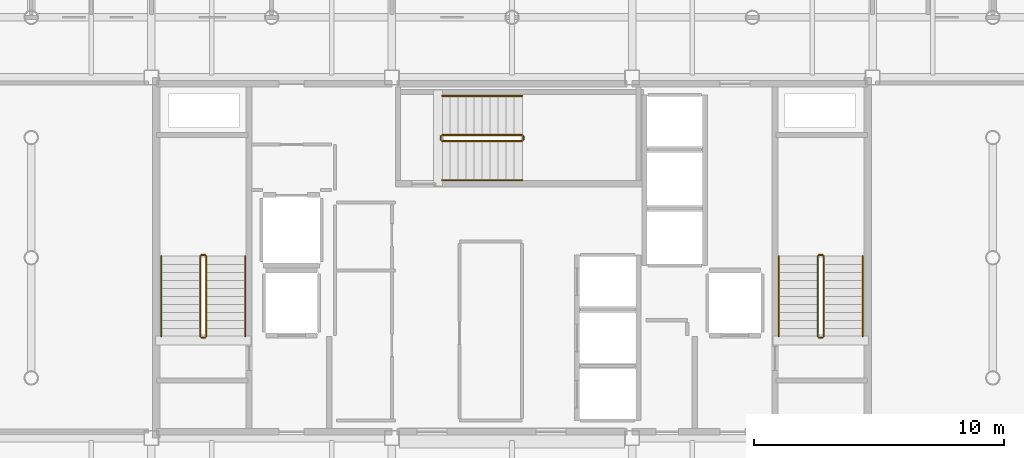
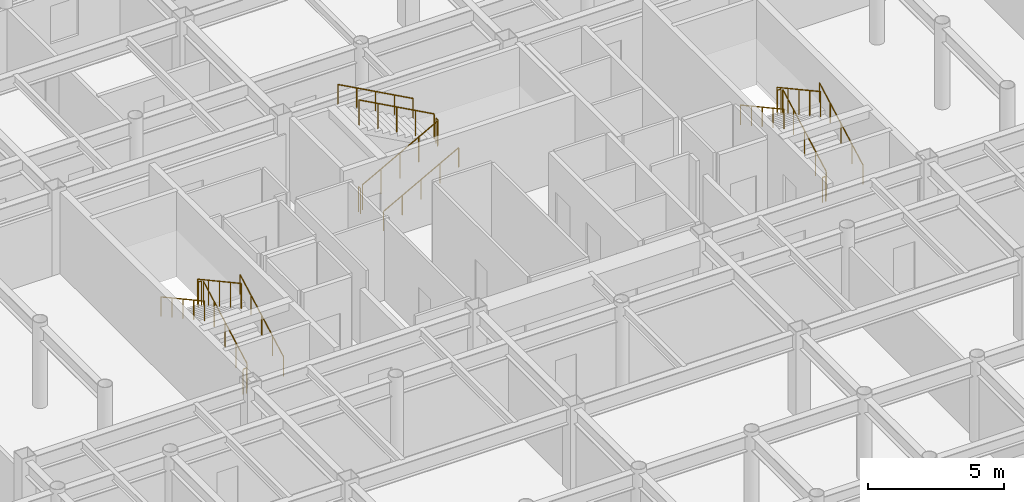
# One storey, part 21 of 21: 18 railings.
"""IFC4 building model written with IfcOpenShell, lengths in metres."""

from ifc_helpers import new_model, si_unit, direction, frame, origin, origin_2d, place, context, subcontext, project, spatial, circle, extrude, material, layer, layer_set, type_object, element, save


model = new_model("IFC4")

# Units and contexts
model_context = context("Model", 3, precision=1e-05, world=origin(), true_north=direction((0.0, 1.0)))
body_context = subcontext(model_context, "Body", "Model", "MODEL_VIEW")
ifc_project = project(units=[si_unit("LENGTHUNIT", "METRE"), si_unit("AREAUNIT", "SQUARE_METRE"), si_unit("VOLUMEUNIT", "CUBIC_METRE"), si_unit("PLANEANGLEUNIT", "RADIAN"), si_unit("MASSUNIT", "GRAM", prefix="KILO")], contexts=[model_context])

# Site, building, storey
site_placement = place(None, origin())
site = spatial("IfcSite", under=ifc_project, at=site_placement, CompositionType="ELEMENT")
building_placement = place(site_placement, origin())
building = spatial("IfcBuilding", under=site, at=building_placement, Name="Kallvorn Hotel Tower", CompositionType="ELEMENT")
storey_placement = place(building_placement, frame((0.0, 0.0, 214.60009765625)))
storey = spatial("IfcBuildingStorey", under=building, at=storey_placement, Name="L53", CompositionType="ELEMENT", Elevation=214.60009765625)

# Railings
ifc_material_1 = material(Name="Brushed stainless-steel tubular railing", Category="steel")
ifc_layer_1 = layer(ifc_material_1, 0.050048828125)
ifc_layer_set_1 = layer_set([ifc_layer_1], Name="RL_STAIR_GUARD")
railing_type_1 = type_object("IfcRailingType", Name="RL_STAIR_GUARD", PredefinedType="GUARDRAIL", material=ifc_layer_set_1)
railing_1_placement = place(storey_placement, frame((-12.2099609375, -3.139892578125, 0.1748046875)))
element("IfcRailing", 1, at=railing_1_placement, inside=storey, type_object=railing_type_1, Name="L53 ST1 stair guard 1", PredefinedType="GUARDRAIL", context=body_context, shape_type="SweptSolid", body=[
    extrude(circle(Radius=0.02392578125, at=origin_2d()), frame((0.0, 0.0, 1.1259765625), z_axis=(0.0, 0.877368057402, 0.479817977833), x_axis=(-1.0, 0.0, 0.0)), (0.0, 0.0, 1.0), 3.647216796875),
    extrude(circle(Radius=0.02099609375, at=origin_2d()), origin(), (0.0, 0.0, 1.0), 1.101806640625),
    extrude(circle(Radius=0.02099609375, at=origin_2d()), frame((0.0, 0.800048828125, 0.4375)), (0.0, 0.0, 1.0), 1.101806640625),
    extrude(circle(Radius=0.02099609375, at=origin_2d()), frame((0.0, 1.60009765625, 0.875)), (0.0, 0.0, 1.0), 1.101806640625),
    extrude(circle(Radius=0.02099609375, at=origin_2d()), frame((0.0, 2.39990234375, 1.3125)), (0.0, 0.0, 1.0), 1.101806640625),
    extrude(circle(Radius=0.02099609375, at=origin_2d()), frame((0.0, 3.199951171875, 1.75)), (0.0, 0.0, 1.0), 1.101806640625),
])
railing_2_placement = place(storey_placement, frame((-12.260009765625, 0.110107421875, 1.9248046875)))
element("IfcRailing", 2, at=railing_2_placement, inside=storey, type_object=railing_type_1, Name="L53 ST1 stair guard 2", PredefinedType="GUARDRAIL", context=body_context, shape_type="SweptSolid", body=[
    extrude(circle(Radius=0.02392578125, at=origin_2d()), frame((0.0, 0.0, 1.1259765625), z_axis=(-1.0, 0.0, 0.0), x_axis=(0.0, -1.0, 0.0)), (0.0, 0.0, 1.0), 0.139892578125),
    extrude(circle(Radius=0.02099609375, at=origin_2d()), origin(), (0.0, 0.0, 1.0), 1.101806640625),
    extrude(circle(Radius=0.02099609375, at=origin_2d()), frame((-0.139892578125, 0.0, 0.0)), (0.0, 0.0, 1.0), 1.101806640625),
])
railing_3_placement = place(storey_placement, frame((-12.449951171875, 0.06005859375, 2.099853515625)))
element("IfcRailing", 3, at=railing_3_placement, inside=storey, type_object=railing_type_1, Name="L53 ST1 stair guard 3", PredefinedType="GUARDRAIL", context=body_context, shape_type="SweptSolid", body=[
    extrude(circle(Radius=0.02392578125, at=origin_2d()), frame((0.0, 0.0, 1.1259765625), z_axis=(0.0, -0.877368057402, 0.479817977833), x_axis=(1.0, 0.0, 0.0)), (0.0, 0.0, 1.0), 3.647216796875),
    extrude(circle(Radius=0.02099609375, at=origin_2d()), origin(), (0.0, 0.0, 1.0), 1.101806640625),
    extrude(circle(Radius=0.02099609375, at=origin_2d()), frame((0.0, -0.800048828125, 0.4375)), (0.0, 0.0, 1.0), 1.101806640625),
    extrude(circle(Radius=0.02099609375, at=origin_2d()), frame((0.0, -1.60009765625, 0.875)), (0.0, 0.0, 1.0), 1.101806640625),
    extrude(circle(Radius=0.02099609375, at=origin_2d()), frame((0.0, -2.39990234375, 1.3125)), (0.0, 0.0, 1.0), 1.101806640625),
    extrude(circle(Radius=0.02099609375, at=origin_2d()), frame((0.0, -3.199951171875, 1.75)), (0.0, 0.0, 1.0), 1.101806640625),
])
railing_4_placement = place(storey_placement, frame((-12.260009765625, -3.18994140625, 0.0)))
element("IfcRailing", 4, at=railing_4_placement, inside=storey, type_object=railing_type_1, Name="L53 ST1 stair guard 4", PredefinedType="GUARDRAIL", context=body_context, shape_type="SweptSolid", body=[
    extrude(circle(Radius=0.02392578125, at=origin_2d()), frame((0.0, 0.0, 1.1259765625), z_axis=(-1.0, 0.0, 0.0), x_axis=(0.0, -1.0, 0.0)), (0.0, 0.0, 1.0), 0.139892578125),
    extrude(circle(Radius=0.02099609375, at=origin_2d()), origin(), (0.0, 0.0, 1.0), 1.101806640625),
    extrude(circle(Radius=0.02099609375, at=origin_2d()), frame((-0.139892578125, 0.0, 0.0)), (0.0, 0.0, 1.0), 1.101806640625),
])
railing_5_placement = place(storey_placement, frame((12.449951171875, -3.139892578125, 0.1748046875)))
element("IfcRailing", 5, at=railing_5_placement, inside=storey, type_object=railing_type_1, Name="L53 ST2 stair guard 1", PredefinedType="GUARDRAIL", context=body_context, shape_type="SweptSolid", body=[
    extrude(circle(Radius=0.02392578125, at=origin_2d()), frame((0.0, 0.0, 1.1259765625), z_axis=(0.0, 0.877368057402, 0.479817977833), x_axis=(-1.0, 0.0, 0.0)), (0.0, 0.0, 1.0), 3.647216796875),
    extrude(circle(Radius=0.02099609375, at=origin_2d()), origin(), (0.0, 0.0, 1.0), 1.101806640625),
    extrude(circle(Radius=0.02099609375, at=origin_2d()), frame((0.0, 0.800048828125, 0.4375)), (0.0, 0.0, 1.0), 1.101806640625),
    extrude(circle(Radius=0.02099609375, at=origin_2d()), frame((0.0, 1.60009765625, 0.875)), (0.0, 0.0, 1.0), 1.101806640625),
    extrude(circle(Radius=0.02099609375, at=origin_2d()), frame((0.0, 2.39990234375, 1.3125)), (0.0, 0.0, 1.0), 1.101806640625),
    extrude(circle(Radius=0.02099609375, at=origin_2d()), frame((0.0, 3.199951171875, 1.75)), (0.0, 0.0, 1.0), 1.101806640625),
])
railing_6_placement = place(storey_placement, frame((12.39990234375, 0.110107421875, 1.9248046875)))
element("IfcRailing", 6, at=railing_6_placement, inside=storey, type_object=railing_type_1, Name="L53 ST2 stair guard 2", PredefinedType="GUARDRAIL", context=body_context, shape_type="SweptSolid", body=[
    extrude(circle(Radius=0.02392578125, at=origin_2d()), frame((0.0, 0.0, 1.1259765625), z_axis=(-1.0, 0.0, 0.0), x_axis=(0.0, -1.0, 0.0)), (0.0, 0.0, 1.0), 0.139892578125),
    extrude(circle(Radius=0.02099609375, at=origin_2d()), origin(), (0.0, 0.0, 1.0), 1.101806640625),
    extrude(circle(Radius=0.02099609375, at=origin_2d()), frame((-0.139892578125, 0.0, 0.0)), (0.0, 0.0, 1.0), 1.101806640625),
])
railing_7_placement = place(storey_placement, frame((12.2099609375, 0.06005859375, 2.099853515625)))
element("IfcRailing", 7, at=railing_7_placement, inside=storey, type_object=railing_type_1, Name="L53 ST2 stair guard 3", PredefinedType="GUARDRAIL", context=body_context, shape_type="SweptSolid", body=[
    extrude(circle(Radius=0.02392578125, at=origin_2d()), frame((0.0, 0.0, 1.1259765625), z_axis=(0.0, -0.877368057402, 0.479817977833), x_axis=(1.0, 0.0, 0.0)), (0.0, 0.0, 1.0), 3.647216796875),
    extrude(circle(Radius=0.02099609375, at=origin_2d()), origin(), (0.0, 0.0, 1.0), 1.101806640625),
    extrude(circle(Radius=0.02099609375, at=origin_2d()), frame((0.0, -0.800048828125, 0.4375)), (0.0, 0.0, 1.0), 1.101806640625),
    extrude(circle(Radius=0.02099609375, at=origin_2d()), frame((0.0, -1.60009765625, 0.875)), (0.0, 0.0, 1.0), 1.101806640625),
    extrude(circle(Radius=0.02099609375, at=origin_2d()), frame((0.0, -2.39990234375, 1.3125)), (0.0, 0.0, 1.0), 1.101806640625),
    extrude(circle(Radius=0.02099609375, at=origin_2d()), frame((0.0, -3.199951171875, 1.75)), (0.0, 0.0, 1.0), 1.101806640625),
])
railing_8_placement = place(storey_placement, frame((12.39990234375, -3.18994140625, 0.0)))
element("IfcRailing", 8, at=railing_8_placement, inside=storey, type_object=railing_type_1, Name="L53 ST2 stair guard 4", PredefinedType="GUARDRAIL", context=body_context, shape_type="SweptSolid", body=[
    extrude(circle(Radius=0.02392578125, at=origin_2d()), frame((0.0, 0.0, 1.1259765625), z_axis=(-1.0, 0.0, 0.0), x_axis=(0.0, -1.0, 0.0)), (0.0, 0.0, 1.0), 0.139892578125),
    extrude(circle(Radius=0.02099609375, at=origin_2d()), origin(), (0.0, 0.0, 1.0), 1.101806640625),
    extrude(circle(Radius=0.02099609375, at=origin_2d()), frame((-0.139892578125, 0.0, 0.0)), (0.0, 0.0, 1.0), 1.101806640625),
])
railing_9_placement = place(storey_placement, frame((-2.7900390625, 4.659912109375, 0.1748046875)))
element("IfcRailing", 9, at=railing_9_placement, inside=storey, type_object=railing_type_1, Name="L53 ST3 stair guard 1", PredefinedType="GUARDRAIL", context=body_context, shape_type="SweptSolid", body=[
    extrude(circle(Radius=0.02392578125, at=origin_2d()), frame((0.0, 0.0, 1.1259765625), z_axis=(0.877368057402, 0.0, 0.479817977833), x_axis=(0.0, 1.0, 0.0)), (0.0, 0.0, 1.0), 3.647216796875),
    extrude(circle(Radius=0.02099609375, at=origin_2d()), origin(), (0.0, 0.0, 1.0), 1.101806640625),
    extrude(circle(Radius=0.02099609375, at=origin_2d()), frame((0.800048828125, 0.0, 0.4375)), (0.0, 0.0, 1.0), 1.101806640625),
    extrude(circle(Radius=0.02099609375, at=origin_2d()), frame((1.60009765625, 0.0, 0.875)), (0.0, 0.0, 1.0), 1.101806640625),
    extrude(circle(Radius=0.02099609375, at=origin_2d()), frame((2.39990234375, 0.0, 1.3125)), (0.0, 0.0, 1.0), 1.101806640625),
    extrude(circle(Radius=0.02099609375, at=origin_2d()), frame((3.199951171875, 0.0, 1.75)), (0.0, 0.0, 1.0), 1.101806640625),
])
railing_10_placement = place(storey_placement, frame((0.4599609375, 4.7099609375, 1.9248046875)))
element("IfcRailing", 10, at=railing_10_placement, inside=storey, type_object=railing_type_1, Name="L53 ST3 stair guard 2", PredefinedType="GUARDRAIL", context=body_context, shape_type="SweptSolid", body=[
    extrude(circle(Radius=0.02392578125, at=origin_2d()), frame((0.0, 0.0, 1.1259765625), z_axis=(0.0, 1.0, 0.0), x_axis=(-1.0, 0.0, 0.0)), (0.0, 0.0, 1.0), 0.14013671875),
    extrude(circle(Radius=0.02099609375, at=origin_2d()), origin(), (0.0, 0.0, 1.0), 1.101806640625),
    extrude(circle(Radius=0.02099609375, at=origin_2d()), frame((0.0, 0.14013671875, 0.0)), (0.0, 0.0, 1.0), 1.101806640625),
])
railing_11_placement = place(storey_placement, frame((0.409912109375, 4.89990234375, 2.099853515625)))
element("IfcRailing", 11, at=railing_11_placement, inside=storey, type_object=railing_type_1, Name="L53 ST3 stair guard 3", PredefinedType="GUARDRAIL", context=body_context, shape_type="SweptSolid", body=[
    extrude(circle(Radius=0.02392578125, at=origin_2d()), frame((0.0, 0.0, 1.1259765625), z_axis=(-0.877368057402, 0.0, 0.479817977833), x_axis=(0.0, -1.0, 0.0)), (0.0, 0.0, 1.0), 3.647216796875),
    extrude(circle(Radius=0.02099609375, at=origin_2d()), origin(), (0.0, 0.0, 1.0), 1.101806640625),
    extrude(circle(Radius=0.02099609375, at=origin_2d()), frame((-0.800048828125, 0.0, 0.4375)), (0.0, 0.0, 1.0), 1.101806640625),
    extrude(circle(Radius=0.02099609375, at=origin_2d()), frame((-1.60009765625, 0.0, 0.875)), (0.0, 0.0, 1.0), 1.101806640625),
    extrude(circle(Radius=0.02099609375, at=origin_2d()), frame((-2.39990234375, 0.0, 1.3125)), (0.0, 0.0, 1.0), 1.101806640625),
    extrude(circle(Radius=0.02099609375, at=origin_2d()), frame((-3.199951171875, 0.0, 1.75)), (0.0, 0.0, 1.0), 1.101806640625),
])
railing_12_placement = place(storey_placement, frame((-2.840087890625, 4.7099609375, 0.0)))
element("IfcRailing", 12, at=railing_12_placement, inside=storey, type_object=railing_type_1, Name="L53 ST3 stair guard 4", PredefinedType="GUARDRAIL", context=body_context, shape_type="SweptSolid", body=[
    extrude(circle(Radius=0.02392578125, at=origin_2d()), frame((0.0, 0.0, 1.1259765625), z_axis=(0.0, 1.0, 0.0), x_axis=(-1.0, 0.0, 0.0)), (0.0, 0.0, 1.0), 0.14013671875),
    extrude(circle(Radius=0.02099609375, at=origin_2d()), origin(), (0.0, 0.0, 1.0), 1.101806640625),
    extrude(circle(Radius=0.02099609375, at=origin_2d()), frame((0.0, 0.14013671875, 0.0)), (0.0, 0.0, 1.0), 1.101806640625),
])
ifc_material_2 = material(Name="Brushed stainless-steel tubular railing", Category="steel")
ifc_layer_2 = layer(ifc_material_2, 0.050048828125)
ifc_layer_set_2 = layer_set([ifc_layer_2], Name="RL_STAIR_HAND")
railing_type_2 = type_object("IfcRailingType", Name="RL_STAIR_HAND", PredefinedType="HANDRAIL", material=ifc_layer_set_2)
railing_13_placement = place(storey_placement, frame((-10.64990234375, -3.139892578125, 0.1748046875)))
element("IfcRailing", 13, at=railing_13_placement, inside=storey, type_object=railing_type_2, Name="L53 ST1 stair handrail 1", PredefinedType="HANDRAIL", context=body_context, shape_type="SweptSolid", body=[
    extrude(circle(Radius=0.02392578125, at=origin_2d()), frame((0.0, 0.0, 0.8759765625), z_axis=(0.0, 0.877368057402, 0.479817977833), x_axis=(-1.0, 0.0, 0.0)), (0.0, 0.0, 1.0), 3.647216796875),
    extrude(circle(Radius=0.02099609375, at=origin_2d()), origin(), (0.0, 0.0, 1.0), 0.851806640625),
    extrude(circle(Radius=0.02099609375, at=origin_2d()), frame((0.0, 0.800048828125, 0.4375)), (0.0, 0.0, 1.0), 0.851806640625),
    extrude(circle(Radius=0.02099609375, at=origin_2d()), frame((0.0, 1.60009765625, 0.875)), (0.0, 0.0, 1.0), 0.851806640625),
    extrude(circle(Radius=0.02099609375, at=origin_2d()), frame((0.0, 2.39990234375, 1.3125)), (0.0, 0.0, 1.0), 0.851806640625),
    extrude(circle(Radius=0.02099609375, at=origin_2d()), frame((0.0, 3.199951171875, 1.75)), (0.0, 0.0, 1.0), 0.851806640625),
])
railing_14_placement = place(storey_placement, frame((-14.010009765625, 0.06005859375, 2.099853515625)))
element("IfcRailing", 14, at=railing_14_placement, inside=storey, type_object=railing_type_2, Name="L53 ST1 stair handrail 2", PredefinedType="HANDRAIL", context=body_context, shape_type="SweptSolid", body=[
    extrude(circle(Radius=0.02392578125, at=origin_2d()), frame((0.0, 0.0, 0.8759765625), z_axis=(0.0, -0.877368057402, 0.479817977833), x_axis=(1.0, 0.0, 0.0)), (0.0, 0.0, 1.0), 3.647216796875),
    extrude(circle(Radius=0.02099609375, at=origin_2d()), origin(), (0.0, 0.0, 1.0), 0.851806640625),
    extrude(circle(Radius=0.02099609375, at=origin_2d()), frame((0.0, -0.800048828125, 0.4375)), (0.0, 0.0, 1.0), 0.851806640625),
    extrude(circle(Radius=0.02099609375, at=origin_2d()), frame((0.0, -1.60009765625, 0.875)), (0.0, 0.0, 1.0), 0.851806640625),
    extrude(circle(Radius=0.02099609375, at=origin_2d()), frame((0.0, -2.39990234375, 1.3125)), (0.0, 0.0, 1.0), 0.851806640625),
    extrude(circle(Radius=0.02099609375, at=origin_2d()), frame((0.0, -3.199951171875, 1.75)), (0.0, 0.0, 1.0), 0.851806640625),
])
railing_15_placement = place(storey_placement, frame((14.010009765625, -3.139892578125, 0.1748046875)))
element("IfcRailing", 15, at=railing_15_placement, inside=storey, type_object=railing_type_2, Name="L53 ST2 stair handrail 1", PredefinedType="HANDRAIL", context=body_context, shape_type="SweptSolid", body=[
    extrude(circle(Radius=0.02392578125, at=origin_2d()), frame((0.0, 0.0, 0.8759765625), z_axis=(0.0, 0.877368057402, 0.479817977833), x_axis=(-1.0, 0.0, 0.0)), (0.0, 0.0, 1.0), 3.647216796875),
    extrude(circle(Radius=0.02099609375, at=origin_2d()), origin(), (0.0, 0.0, 1.0), 0.851806640625),
    extrude(circle(Radius=0.02099609375, at=origin_2d()), frame((0.0, 0.800048828125, 0.4375)), (0.0, 0.0, 1.0), 0.851806640625),
    extrude(circle(Radius=0.02099609375, at=origin_2d()), frame((0.0, 1.60009765625, 0.875)), (0.0, 0.0, 1.0), 0.851806640625),
    extrude(circle(Radius=0.02099609375, at=origin_2d()), frame((0.0, 2.39990234375, 1.3125)), (0.0, 0.0, 1.0), 0.851806640625),
    extrude(circle(Radius=0.02099609375, at=origin_2d()), frame((0.0, 3.199951171875, 1.75)), (0.0, 0.0, 1.0), 0.851806640625),
])
railing_16_placement = place(storey_placement, frame((10.64990234375, 0.06005859375, 2.099853515625)))
element("IfcRailing", 16, at=railing_16_placement, inside=storey, type_object=railing_type_2, Name="L53 ST2 stair handrail 2", PredefinedType="HANDRAIL", context=body_context, shape_type="SweptSolid", body=[
    extrude(circle(Radius=0.02392578125, at=origin_2d()), frame((0.0, 0.0, 0.8759765625), z_axis=(0.0, -0.877368057402, 0.479817977833), x_axis=(1.0, 0.0, 0.0)), (0.0, 0.0, 1.0), 3.647216796875),
    extrude(circle(Radius=0.02099609375, at=origin_2d()), origin(), (0.0, 0.0, 1.0), 0.851806640625),
    extrude(circle(Radius=0.02099609375, at=origin_2d()), frame((0.0, -0.800048828125, 0.4375)), (0.0, 0.0, 1.0), 0.851806640625),
    extrude(circle(Radius=0.02099609375, at=origin_2d()), frame((0.0, -1.60009765625, 0.875)), (0.0, 0.0, 1.0), 0.851806640625),
    extrude(circle(Radius=0.02099609375, at=origin_2d()), frame((0.0, -2.39990234375, 1.3125)), (0.0, 0.0, 1.0), 0.851806640625),
    extrude(circle(Radius=0.02099609375, at=origin_2d()), frame((0.0, -3.199951171875, 1.75)), (0.0, 0.0, 1.0), 0.851806640625),
])
railing_17_placement = place(storey_placement, frame((-2.7900390625, 3.10009765625, 0.1748046875)))
element("IfcRailing", 17, at=railing_17_placement, inside=storey, type_object=railing_type_2, Name="L53 ST3 stair handrail 1", PredefinedType="HANDRAIL", context=body_context, shape_type="SweptSolid", body=[
    extrude(circle(Radius=0.02392578125, at=origin_2d()), frame((0.0, 0.0, 0.8759765625), z_axis=(0.877368057402, 0.0, 0.479817977833), x_axis=(0.0, 1.0, 0.0)), (0.0, 0.0, 1.0), 3.647216796875),
    extrude(circle(Radius=0.02099609375, at=origin_2d()), origin(), (0.0, 0.0, 1.0), 0.851806640625),
    extrude(circle(Radius=0.02099609375, at=origin_2d()), frame((0.800048828125, 0.0, 0.4375)), (0.0, 0.0, 1.0), 0.851806640625),
    extrude(circle(Radius=0.02099609375, at=origin_2d()), frame((1.60009765625, 0.0, 0.875)), (0.0, 0.0, 1.0), 0.851806640625),
    extrude(circle(Radius=0.02099609375, at=origin_2d()), frame((2.39990234375, 0.0, 1.3125)), (0.0, 0.0, 1.0), 0.851806640625),
    extrude(circle(Radius=0.02099609375, at=origin_2d()), frame((3.199951171875, 0.0, 1.75)), (0.0, 0.0, 1.0), 0.851806640625),
])
railing_18_placement = place(storey_placement, frame((0.409912109375, 6.4599609375, 2.099853515625)))
element("IfcRailing", 18, at=railing_18_placement, inside=storey, type_object=railing_type_2, Name="L53 ST3 stair handrail 2", PredefinedType="HANDRAIL", context=body_context, shape_type="SweptSolid", body=[
    extrude(circle(Radius=0.02392578125, at=origin_2d()), frame((0.0, 0.0, 0.8759765625), z_axis=(-0.877368057402, 0.0, 0.479817977833), x_axis=(0.0, -1.0, 0.0)), (0.0, 0.0, 1.0), 3.647216796875),
    extrude(circle(Radius=0.02099609375, at=origin_2d()), origin(), (0.0, 0.0, 1.0), 0.851806640625),
    extrude(circle(Radius=0.02099609375, at=origin_2d()), frame((-0.800048828125, 0.0, 0.4375)), (0.0, 0.0, 1.0), 0.851806640625),
    extrude(circle(Radius=0.02099609375, at=origin_2d()), frame((-1.60009765625, 0.0, 0.875)), (0.0, 0.0, 1.0), 0.851806640625),
    extrude(circle(Radius=0.02099609375, at=origin_2d()), frame((-2.39990234375, 0.0, 1.3125)), (0.0, 0.0, 1.0), 0.851806640625),
    extrude(circle(Radius=0.02099609375, at=origin_2d()), frame((-3.199951171875, 0.0, 1.75)), (0.0, 0.0, 1.0), 0.851806640625),
])

save(model, "model.ifc")
